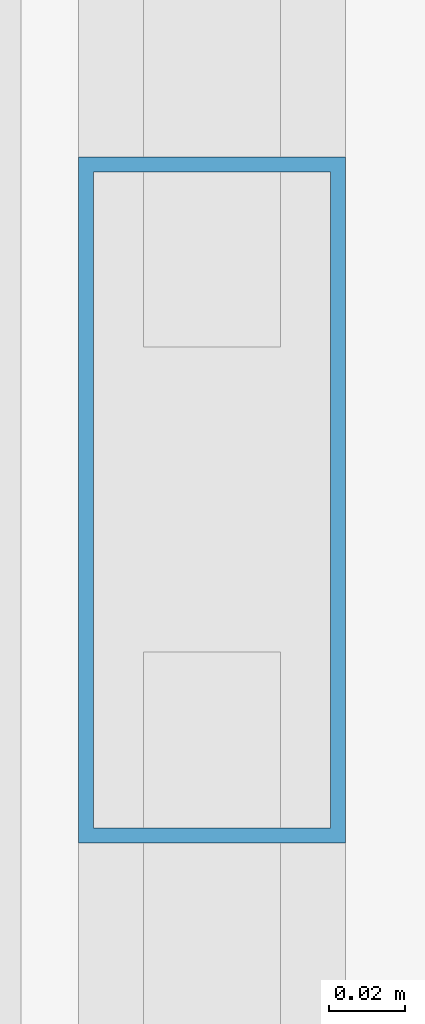
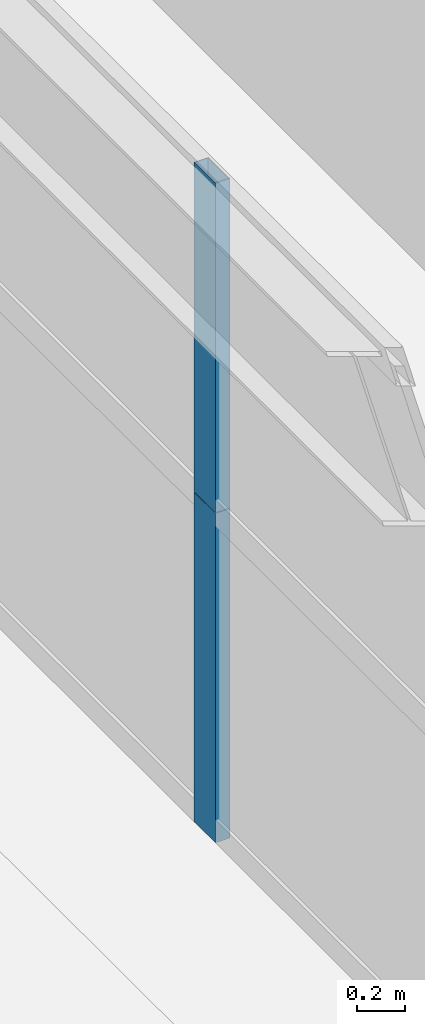
# One storey, part 21 of 45: 2 members, 1 element without a shape of its own.
"""IFC4 building model written with IfcOpenShell, lengths in metres."""

from ifc_helpers import new_model, si_unit, direction, frame, origin, origin_2d, place, context, subcontext, project, spatial, hollow_rectangle, extrude, source, transform, mapped, material, layer, layer_set, material_profile, profile_set, type_object, element, aggregate, save


model = new_model("IFC4")

# Units and contexts
model_context = context("Model", 3, precision=1e-05, world=origin(), true_north=direction((0.0, 1.0)))
body_context = subcontext(model_context, "Body", "Model", "MODEL_VIEW")
ifc_project = project(units=[si_unit("LENGTHUNIT", "METRE"), si_unit("AREAUNIT", "SQUARE_METRE"), si_unit("VOLUMEUNIT", "CUBIC_METRE"), si_unit("PLANEANGLEUNIT", "RADIAN"), si_unit("MASSUNIT", "GRAM", prefix="KILO"), si_unit("THERMODYNAMICTEMPERATUREUNIT", "KELVIN"), si_unit("POWERUNIT", "WATT")], contexts=[model_context])

# Site, building, storey
site_placement = place(None, origin())
site = spatial("IfcSite", under=ifc_project, at=site_placement, CompositionType="ELEMENT")
building_placement = place(site_placement, origin())
building = spatial("IfcBuilding", under=site, at=building_placement, Name="Yuzanri Waterfront Tower", CompositionType="ELEMENT")
storey_placement = place(building_placement, frame((0.0, 0.0, 30.60009765625)))
storey = spatial("IfcBuildingStorey", under=building, at=storey_placement, Name="L07", CompositionType="ELEMENT", Elevation=30.60009765625)

# Curtain wall, members
ifc_material_1 = material(Name="Anodized Architectural Bronze", Category="metal")
ifc_layer = layer(ifc_material_1, 0.159912109375)
ifc_layer_set = layer_set([ifc_layer], Name="Anodized Architectural Bronze")
curtain_wall_type = type_object("IfcCurtainWallType", Name="Anodized Bronze Hotel Lower-Tier Recessed Unitized Curtain Wall 8100", PredefinedType="NOTDEFINED", material=ifc_layer_set)
curtain_wall_placement = place(storey_placement, origin())
curtain_wall = element("IfcCurtainWall", 1, at=curtain_wall_placement, inside=storey, type_object=curtain_wall_type, Name="L07 Curtain Wall CW-L07-WR", PredefinedType="NOTDEFINED")
ifc_material_2 = material(Name="Anodized Architectural Bronze", Category="metal")
ifc_material_profile = material_profile(ifc_material_2, hollow_rectangle(XDim=0.070068359375, YDim=0.179931640625, WallThickness=0.00390625, at=origin_2d()), Name="CWM 70x180")
ifc_profile_set = profile_set([ifc_material_profile], Name="Anodized Architectural Bronze")
member_type = type_object("IfcMemberType", Name="Anodized Bronze Standard Curtain-Wall Mullion 70x180", PredefinedType="MULLION", material=ifc_profile_set)
shared_shape = source(origin(), body_context, "Body", "SweptSolid", [
    extrude(hollow_rectangle(XDim=0.070068359375, YDim=0.179931640625, WallThickness=0.00390625, at=origin_2d()), origin(), (0.0, 0.0, 1.0), 1.68798828125),
])
member_1_placement = place(storey_placement, frame((12.050048828125, 34.89990234375, 0.0), z_axis=(0.0, 0.0, 1.0), x_axis=(1.0, 0.0, 0.0)))
member_1 = element("IfcMember", 2, at=member_1_placement, type_object=member_type, Name="CW-L07-WR Lower Mullion 01", PredefinedType="MULLION", context=body_context, shape_type="MappedRepresentation", body=[
    mapped(shared_shape, transform((0.0, 0.0, 0.0), scale=1.0)),
])
member_2_placement = place(storey_placement, frame((12.050048828125, 34.89990234375, 1.69189453125), z_axis=(0.0, 0.0, 1.0), x_axis=(1.0, 0.0, 0.0)))
member_2 = element("IfcMember", 3, at=member_2_placement, type_object=member_type, Name="CW-L07-WR Upper Mullion 01", PredefinedType="MULLION", context=body_context, shape_type="MappedRepresentation", body=[
    mapped(shared_shape, transform((0.0, 0.0, 0.0), scale=1.0)),
])
aggregate(curtain_wall, [member_1, member_2])

save(model, "model.ifc")
